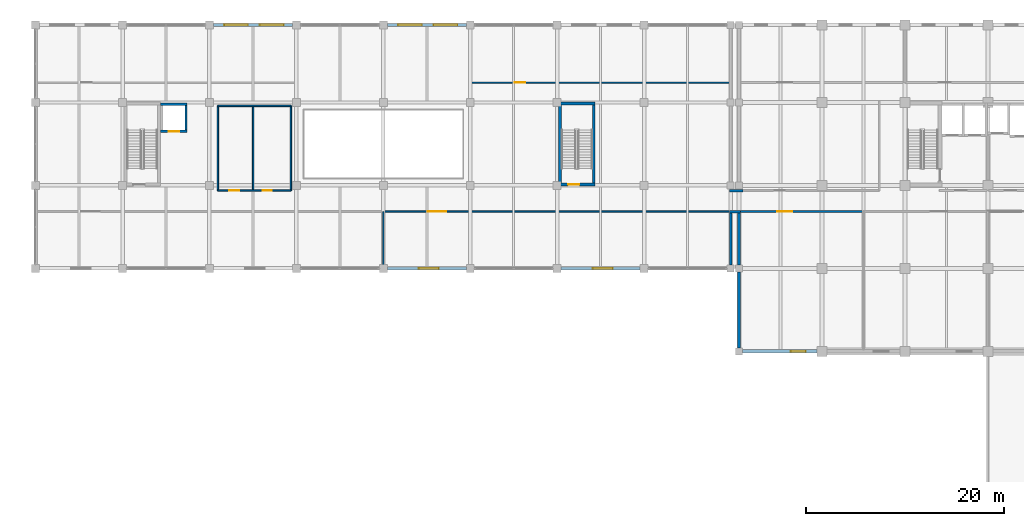
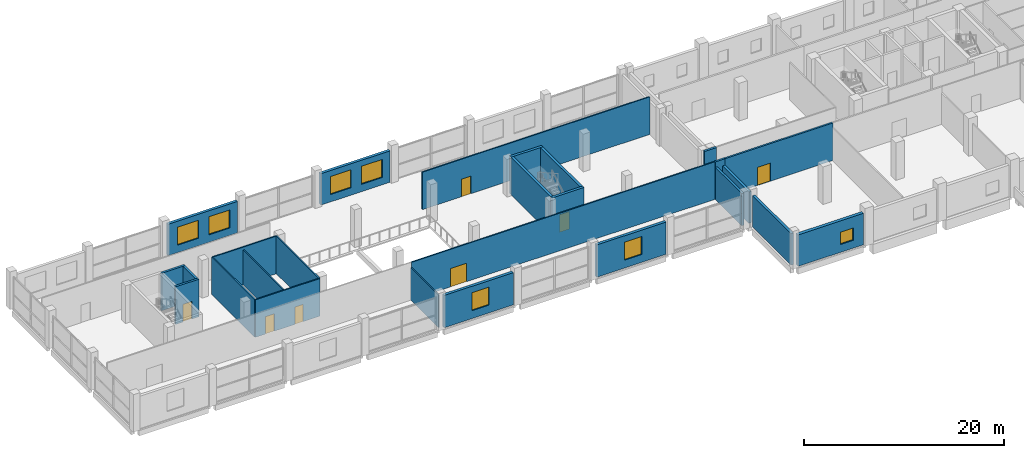
# One storey, part 21 of 31: 26 walls, 7 doors, 7 windows, 14 openings.
"""IFC4 building model written with IfcOpenShell, lengths in metres."""

from ifc_helpers import new_model, si_unit, direction, frame, frame_2d, origin, place, context, subcontext, project, spatial, rectangle, extrude, material, layer, layer_set, type_object, element, fill, save


model = new_model("IFC4")

# Units and contexts
model_context = context("Model", 3, precision=1e-05, world=origin(), true_north=direction((0.0, 1.0)))
body_context = subcontext(model_context, "Body", "Model", "MODEL_VIEW")
ifc_project = project(units=[si_unit("LENGTHUNIT", "METRE"), si_unit("AREAUNIT", "SQUARE_METRE"), si_unit("VOLUMEUNIT", "CUBIC_METRE"), si_unit("PLANEANGLEUNIT", "RADIAN"), si_unit("MASSUNIT", "GRAM", prefix="KILO")], contexts=[model_context])

# Site, building, storey
site_placement = place(None, origin())
site = spatial("IfcSite", under=ifc_project, at=site_placement, CompositionType="ELEMENT")
building_placement = place(site_placement, origin())
building = spatial("IfcBuilding", under=site, at=building_placement, Name="Brinegate Botanical Conservatory", CompositionType="ELEMENT")
storey_placement = place(building_placement, frame((0.0, 0.0, 5.39990234375)))
storey = spatial("IfcBuildingStorey", under=building, at=storey_placement, Name="L02", CompositionType="ELEMENT", Elevation=5.39990234375)

# Walls
ifc_material_1 = material(Name="Fujian grey granite ashlar masonry", Category="masonry")
ifc_layer_1 = layer(ifc_material_1, 0.239990234375, Name="Fujian grey granite ashlar masonry", Category="masonry")
ifc_layer_set_1 = layer_set([ifc_layer_1], Name="Fujian grey granite ashlar masonry")
wall_type_1 = type_object("IfcWallType", Name="Wall_EW-240A", PredefinedType="STANDARD", material=ifc_layer_set_1)
wall_1_placement = place(storey_placement, frame((122.139892578125, 92.550048828125, 0.0), z_axis=(0.0, 0.0, 1.0), x_axis=(-1.0, 0.0, 0.0)))
element("IfcWall", 1, at=wall_1_placement, inside=storey, type_object=wall_type_1, Name="Seismic-joint corridor link wall L02 S", PredefinedType="STANDARD", context=body_context, shape_type="SweptSolid", body=[
    extrude(rectangle(XDim=1.10986328125, YDim=0.239990234375, at=frame_2d((0.554931640625, 0.0))), origin(), (0.0, 0.0, 1.0), 4.580078125),
])
wall_2_placement = place(storey_placement, frame((121.030029296875, 94.679931640625, 0.0), z_axis=(0.0, 0.0, 1.0), x_axis=(1.0, 0.0, 0.0)))
element("IfcWall", 2, at=wall_2_placement, inside=storey, type_object=wall_type_1, Name="Seismic-joint corridor link wall L02 N", PredefinedType="STANDARD", context=body_context, shape_type="SweptSolid", body=[
    extrude(rectangle(XDim=1.35986328125, YDim=0.239990234375, at=frame_2d((0.679931640625, 0.0))), origin(), (0.0, 0.0, 1.0), 4.580078125),
])
ifc_material_2 = material(Name="Precast concrete C40/50 architectural panel", Category="concrete")
ifc_layer_2 = layer(ifc_material_2, 0.260009765625, Name="Precast concrete C40/50 architectural panel", Category="concrete")
ifc_layer_set_2 = layer_set([ifc_layer_2], Name="Precast concrete C40/50 architectural panel")
wall_type_2 = type_object("IfcWallType", Name="Wall_EW-260P", PredefinedType="STANDARD", material=ifc_layer_set_2)
wall_3_placement = place(storey_placement, frame((121.14990234375, 92.419921875, 0.0), z_axis=(0.0, 0.0, 1.0), x_axis=(0.0, -1.0, 0.0)))
element("IfcWall", 3, at=wall_3_placement, inside=storey, type_object=wall_type_2, Name="Visitor east seismic-joint closure wall L02.1", PredefinedType="STANDARD", context=body_context, shape_type="SweptSolid", body=[
    extrude(rectangle(XDim=5.27001953125, YDim=0.260009765625, at=frame_2d((2.635009765625, 0.0))), origin(), (0.0, 0.0, 1.0), 3.93017578125),
])
ifc_material_3 = material(Name="Insulated Minnan red clay brick masonry", Category="masonry")
ifc_layer_3 = layer(ifc_material_3, 0.300048828125, Name="Insulated Minnan red clay brick masonry", Category="masonry")
ifc_layer_set_3 = layer_set([ifc_layer_3], Name="Insulated Minnan red clay brick masonry")
wall_type_3 = type_object("IfcWallType", Name="Wall_EW-300B", PredefinedType="STANDARD", material=ifc_layer_set_3)
wall_4_placement = place(storey_placement, frame((122.0, 78.75, 0.0), z_axis=(0.0, 0.0, 1.0), x_axis=(0.0, 1.0, 0.0)))
element("IfcWall", 4, at=wall_4_placement, inside=storey, type_object=wall_type_3, Name="Tower west wall L02.S1", PredefinedType="STANDARD", context=body_context, shape_type="SweptSolid", body=[
    extrude(rectangle(XDim=7.699951171875, YDim=0.300048828125, at=frame_2d((3.85009765625, 0.0))), origin(), (0.0, 0.0, 1.0), 3.830078125),
])
wall_5_placement = place(storey_placement, frame((122.0, 87.14990234375, 0.0), z_axis=(0.0, 0.0, 1.0), x_axis=(0.0, 1.0, 0.0)))
element("IfcWall", 5, at=wall_5_placement, inside=storey, type_object=wall_type_3, Name="Tower seismic-joint west wall L02.2", PredefinedType="STANDARD", context=body_context, shape_type="SweptSolid", body=[
    extrude(rectangle(XDim=5.27001953125, YDim=0.300048828125, at=frame_2d((2.635009765625, 0.0))), origin(), (0.0, 0.0, 1.0), 3.830078125),
])

# Wall, openings, windows
ifc_layer_4 = layer(ifc_material_3, 0.320068359375, Name="Insulated Minnan red clay brick masonry", Category="masonry")
ifc_layer_set_4 = layer_set([ifc_layer_4], Name="Insulated Minnan red clay brick masonry")
wall_type_4 = type_object("IfcWallType", Name="Wall_EW-320B", PredefinedType="STANDARD", material=ifc_layer_set_4)
wall_6_placement = place(storey_placement, frame((68.800048828125, 111.449951171875, 0.0), z_axis=(0.0, 0.0, 1.0), x_axis=(1.0, 0.0, 0.0)))
wall_6 = element("IfcWall", 6, at=wall_6_placement, inside=storey, type_object=wall_type_4, Name="Visitor north brick bay wall L02.3", PredefinedType="STANDARD", context=body_context, shape_type="SweptSolid", body=[
    extrude(rectangle(XDim=8.0, YDim=0.320068359375, at=frame_2d((4.0, 0.0))), origin(), (0.0, 0.0, 1.0), 3.830078125),
])
opening_1_placement = place(wall_6_placement, frame((1.10009765625, 0.0, 0.89990234375)))
opening_1 = element("IfcOpeningElement", 7, at=opening_1_placement, cuts=wall_6, Name="Opening WN-09", PredefinedType="OPENING", context=body_context, shape_type="SweptSolid", body=[
    extrude(rectangle(XDim=2.39990234375, YDim=2.199951171875, at=frame_2d((1.199951171875, 1.10009765625))), frame((0.0, 0.169921875, 0.0), z_axis=(0.0, -1.0, 0.0), x_axis=(1.0, 0.0, 0.0)), (0.0, 0.0, 1.0), 0.340087890625),
])
opening_2_placement = place(wall_6_placement, frame((4.699951171875, 0.0, 0.89990234375)))
opening_2 = element("IfcOpeningElement", 8, at=opening_2_placement, cuts=wall_6, Name="Opening WN-09", PredefinedType="OPENING", context=body_context, shape_type="SweptSolid", body=[
    extrude(rectangle(XDim=2.39990234375, YDim=2.199951171875, at=frame_2d((1.199951171875, 1.10009765625))), frame((0.0, 0.169921875, 0.0), z_axis=(0.0, -1.0, 0.0), x_axis=(1.0, 0.0, 0.0)), (0.0, 0.0, 1.0), 0.340087890625),
])
ifc_material_4 = material(Name="Thermally broken aluminium-framed Low-E glass", Category="aluminium")
window_type_1 = type_object("IfcWindowType", Name="Win_WN-09", PartitioningType="TRIPLE_PANEL_VERTICAL", PredefinedType="WINDOW", material=ifc_material_4)
window_1_placement = place(opening_1_placement, origin())
window_1 = element("IfcWindow", 9, at=window_1_placement, inside=storey, type_object=window_type_1, Name="Visitor north window L02.3A", OverallHeight=2.199951171875, OverallWidth=2.39990234375, PartitioningType="TRIPLE_PANEL_VERTICAL", PredefinedType="WINDOW", context=body_context, shape_type="SweptSolid", body=[
    extrude(rectangle(XDim=2.39990234375, YDim=2.199951171875, at=frame_2d((1.199951171875, 1.10009765625))), frame((0.0, 0.030029296875, 0.0), z_axis=(0.0, -1.0, 0.0), x_axis=(1.0, 0.0, 0.0)), (0.0, 0.0, 1.0), 0.06005859375),
])
fill(opening_1, window_1)
window_2_placement = place(opening_2_placement, origin())
window_2 = element("IfcWindow", 10, at=window_2_placement, inside=storey, type_object=window_type_1, Name="Visitor north window L02.3B", OverallHeight=2.199951171875, OverallWidth=2.39990234375, PartitioningType="TRIPLE_PANEL_VERTICAL", PredefinedType="WINDOW", context=body_context, shape_type="SweptSolid", body=[
    extrude(rectangle(XDim=2.39990234375, YDim=2.199951171875, at=frame_2d((1.199951171875, 1.10009765625))), frame((0.0, 0.030029296875, 0.0), z_axis=(0.0, -1.0, 0.0), x_axis=(1.0, 0.0, 0.0)), (0.0, 0.0, 1.0), 0.06005859375),
])
fill(opening_2, window_2)

wall_7_placement = place(storey_placement, frame((86.39990234375, 111.449951171875, 0.0), z_axis=(0.0, 0.0, 1.0), x_axis=(1.0, 0.0, 0.0)))
wall_7 = element("IfcWall", 11, at=wall_7_placement, inside=storey, type_object=wall_type_4, Name="Visitor north brick bay wall L02.5", PredefinedType="STANDARD", context=body_context, shape_type="SweptSolid", body=[
    extrude(rectangle(XDim=8.0, YDim=0.320068359375, at=frame_2d((4.0, 0.0))), origin(), (0.0, 0.0, 1.0), 3.830078125),
])
opening_3_placement = place(wall_7_placement, frame((1.10009765625, 0.0, 0.89990234375)))
opening_3 = element("IfcOpeningElement", 12, at=opening_3_placement, cuts=wall_7, Name="Opening WN-09", PredefinedType="OPENING", context=body_context, shape_type="SweptSolid", body=[
    extrude(rectangle(XDim=2.39990234375, YDim=2.199951171875, at=frame_2d((1.199951171875, 1.10009765625))), frame((0.0, 0.169921875, 0.0), z_axis=(0.0, -1.0, 0.0), x_axis=(1.0, 0.0, 0.0)), (0.0, 0.0, 1.0), 0.340087890625),
])
opening_4_placement = place(wall_7_placement, frame((4.699951171875, 0.0, 0.89990234375)))
opening_4 = element("IfcOpeningElement", 13, at=opening_4_placement, cuts=wall_7, Name="Opening WN-09", PredefinedType="OPENING", context=body_context, shape_type="SweptSolid", body=[
    extrude(rectangle(XDim=2.39990234375, YDim=2.199951171875, at=frame_2d((1.199951171875, 1.10009765625))), frame((0.0, 0.169921875, 0.0), z_axis=(0.0, -1.0, 0.0), x_axis=(1.0, 0.0, 0.0)), (0.0, 0.0, 1.0), 0.340087890625),
])
window_3_placement = place(opening_3_placement, origin())
window_3 = element("IfcWindow", 14, at=window_3_placement, inside=storey, type_object=window_type_1, Name="Visitor north window L02.5A", OverallHeight=2.199951171875, OverallWidth=2.39990234375, PartitioningType="TRIPLE_PANEL_VERTICAL", PredefinedType="WINDOW", context=body_context, shape_type="SweptSolid", body=[
    extrude(rectangle(XDim=2.39990234375, YDim=2.199951171875, at=frame_2d((1.199951171875, 1.10009765625))), frame((0.0, 0.030029296875, 0.0), z_axis=(0.0, -1.0, 0.0), x_axis=(1.0, 0.0, 0.0)), (0.0, 0.0, 1.0), 0.06005859375),
])
fill(opening_3, window_3)
window_4_placement = place(opening_4_placement, origin())
window_4 = element("IfcWindow", 15, at=window_4_placement, inside=storey, type_object=window_type_1, Name="Visitor north window L02.5B", OverallHeight=2.199951171875, OverallWidth=2.39990234375, PartitioningType="TRIPLE_PANEL_VERTICAL", PredefinedType="WINDOW", context=body_context, shape_type="SweptSolid", body=[
    extrude(rectangle(XDim=2.39990234375, YDim=2.199951171875, at=frame_2d((1.199951171875, 1.10009765625))), frame((0.0, 0.030029296875, 0.0), z_axis=(0.0, -1.0, 0.0), x_axis=(1.0, 0.0, 0.0)), (0.0, 0.0, 1.0), 0.06005859375),
])
fill(opening_4, window_4)

# Wall, opening, window
wall_8_placement = place(storey_placement, frame((94.39990234375, 86.800048828125, 0.0), z_axis=(0.0, 0.0, 1.0), x_axis=(-1.0, 0.0, 0.0)))
wall_8 = element("IfcWall", 16, at=wall_8_placement, inside=storey, type_object=wall_type_4, Name="Visitor south brick wall L02.5", PredefinedType="STANDARD", context=body_context, shape_type="SweptSolid", body=[
    extrude(rectangle(XDim=8.0, YDim=0.320068359375, at=frame_2d((4.0, 0.0))), origin(), (0.0, 0.0, 1.0), 3.93017578125),
])
opening_5_placement = place(wall_8_placement, frame((2.800048828125, 0.0, 0.949951171875)))
opening_5 = element("IfcOpeningElement", 17, at=opening_5_placement, cuts=wall_8, Name="Opening WN-11", PredefinedType="OPENING", context=body_context, shape_type="SweptSolid", body=[
    extrude(rectangle(XDim=2.0, YDim=2.199951171875, at=frame_2d((1.0, 1.10009765625))), frame((0.0, 0.169921875, 0.0), z_axis=(0.0, -1.0, 0.0), x_axis=(1.0, 0.0, 0.0)), (0.0, 0.0, 1.0), 0.340087890625),
])
window_type_2 = type_object("IfcWindowType", Name="Win_WN-11", PartitioningType="DOUBLE_PANEL_VERTICAL", PredefinedType="WINDOW", material=ifc_material_4)
window_5_placement = place(opening_5_placement, origin())
window_5 = element("IfcWindow", 18, at=window_5_placement, inside=storey, type_object=window_type_2, Name="Visitor south court window L02.5", OverallHeight=2.199951171875, OverallWidth=2.0, PartitioningType="DOUBLE_PANEL_VERTICAL", PredefinedType="WINDOW", context=body_context, shape_type="SweptSolid", body=[
    extrude(rectangle(XDim=2.0, YDim=2.199951171875, at=frame_2d((1.0, 1.10009765625))), frame((0.0, 0.030029296875, 0.0), z_axis=(0.0, -1.0, 0.0), x_axis=(1.0, 0.0, 0.0)), (0.0, 0.0, 1.0), 0.06005859375),
])
fill(opening_5, window_5)

wall_9_placement = place(storey_placement, frame((112.0, 86.800048828125, 0.0), z_axis=(0.0, 0.0, 1.0), x_axis=(-1.0, 0.0, 0.0)))
wall_9 = element("IfcWall", 19, at=wall_9_placement, inside=storey, type_object=wall_type_4, Name="Visitor south brick wall L02.7", PredefinedType="STANDARD", context=body_context, shape_type="SweptSolid", body=[
    extrude(rectangle(XDim=8.0, YDim=0.320068359375, at=frame_2d((4.0, 0.0))), origin(), (0.0, 0.0, 1.0), 3.93017578125),
])
opening_6_placement = place(wall_9_placement, frame((2.800048828125, 0.0, 0.949951171875)))
opening_6 = element("IfcOpeningElement", 20, at=opening_6_placement, cuts=wall_9, Name="Opening WN-11", PredefinedType="OPENING", context=body_context, shape_type="SweptSolid", body=[
    extrude(rectangle(XDim=2.0, YDim=2.199951171875, at=frame_2d((1.0, 1.10009765625))), frame((0.0, 0.169921875, 0.0), z_axis=(0.0, -1.0, 0.0), x_axis=(1.0, 0.0, 0.0)), (0.0, 0.0, 1.0), 0.340087890625),
])
window_6_placement = place(opening_6_placement, origin())
window_6 = element("IfcWindow", 21, at=window_6_placement, inside=storey, type_object=window_type_2, Name="Visitor south court window L02.7", OverallHeight=2.199951171875, OverallWidth=2.0, PartitioningType="DOUBLE_PANEL_VERTICAL", PredefinedType="WINDOW", context=body_context, shape_type="SweptSolid", body=[
    extrude(rectangle(XDim=2.0, YDim=2.199951171875, at=frame_2d((1.0, 1.10009765625))), frame((0.0, 0.030029296875, 0.0), z_axis=(0.0, -1.0, 0.0), x_axis=(1.0, 0.0, 0.0)), (0.0, 0.0, 1.0), 0.06005859375),
])
fill(opening_6, window_6)

ifc_layer_5 = layer(ifc_material_3, 0.360107421875, Name="Insulated Minnan red clay brick masonry", Category="masonry")
ifc_layer_set_5 = layer_set([ifc_layer_5], Name="Insulated Minnan red clay brick masonry")
wall_type_5 = type_object("IfcWallType", Name="Wall_EW-360B", PredefinedType="STANDARD", material=ifc_layer_set_5)
wall_10_placement = place(storey_placement, frame((129.89990234375, 78.39990234375, 0.0), z_axis=(0.0, 0.0, 1.0), x_axis=(-1.0, 0.0, 0.0)))
wall_10 = element("IfcWall", 22, at=wall_10_placement, inside=storey, type_object=wall_type_5, Name="Tower south facade wall L02.1", PredefinedType="STANDARD", context=body_context, shape_type="SweptSolid", body=[
    extrude(rectangle(XDim=7.5498046875, YDim=0.360107421875, at=frame_2d((3.77490234375, 0.0))), origin(), (0.0, 0.0, 1.0), 3.830078125),
])
opening_7_placement = place(wall_10_placement, frame((1.14990234375, 0.0, 0.949951171875)))
opening_7 = element("IfcOpeningElement", 23, at=opening_7_placement, cuts=wall_10, Name="Opening WN-08", PredefinedType="OPENING", context=body_context, shape_type="SweptSolid", body=[
    extrude(rectangle(XDim=1.5, YDim=1.5, at=frame_2d((0.75, 0.75))), frame((0.0, 0.18994140625, 0.0), z_axis=(0.0, -1.0, 0.0), x_axis=(1.0, 0.0, 0.0)), (0.0, 0.0, 1.0), 0.380126953125),
])
window_type_3 = type_object("IfcWindowType", Name="Win_WN-08", PartitioningType="DOUBLE_PANEL_VERTICAL", PredefinedType="WINDOW", material=ifc_material_4)
window_7_placement = place(opening_7_placement, origin())
window_7 = element("IfcWindow", 24, at=window_7_placement, inside=storey, type_object=window_type_3, Name="Tower south window L02.1", OverallHeight=1.5, OverallWidth=1.5, PartitioningType="DOUBLE_PANEL_VERTICAL", PredefinedType="WINDOW", context=body_context, shape_type="SweptSolid", body=[
    extrude(rectangle(XDim=1.5, YDim=1.5, at=frame_2d((0.75, 0.75))), frame((0.0, 0.030029296875, 0.0), z_axis=(0.0, -1.0, 0.0), x_axis=(1.0, 0.0, 0.0)), (0.0, 0.0, 1.0), 0.06005859375),
])
fill(opening_7, window_7)

# Walls
ifc_material_5 = material(Name="Gypsum-clad steel-stud partition", Category="steel")
ifc_layer_6 = layer(ifc_material_5, 0.135009765625, Name="Gypsum-clad steel-stud partition", Category="steel")
ifc_layer_set_6 = layer_set([ifc_layer_6], Name="Gypsum-clad steel-stud partition")
wall_type_6 = type_object("IfcWallType", Name="Wall_PW-135", PredefinedType="PARTITIONING", material=ifc_layer_set_6)
wall_11_placement = place(storey_placement, frame((72.820068359375, 94.679931640625, 0.0), z_axis=(0.0, 0.0, 1.0), x_axis=(0.0, 1.0, 0.0)))
element("IfcWall", 25, at=wall_11_placement, inside=storey, type_object=wall_type_6, Name="Interior partition P-L02-V3-WCD", PredefinedType="PARTITIONING", context=body_context, shape_type="SweptSolid", body=[
    extrude(rectangle(XDim=8.570068359375, YDim=0.135009765625, at=frame_2d((4.28515625, 0.0))), origin(), (0.0, 0.0, 1.0), 4.239990234375),
])
wall_12_placement = place(storey_placement, frame((86.0, 86.949951171875, 0.0), z_axis=(0.0, 0.0, 1.0), x_axis=(0.0, 1.0, 0.0)))
element("IfcWall", 26, at=wall_12_placement, inside=storey, type_object=wall_type_6, Name="Interior partition P-L02-VSD-V3-EXH2", PredefinedType="PARTITIONING", context=body_context, shape_type="SweptSolid", body=[
    extrude(rectangle(XDim=5.60009765625, YDim=0.135009765625, at=frame_2d((2.800048828125, 0.0))), origin(), (0.0, 0.0, 1.0), 3.93017578125),
])

# Wall, opening, door
ifc_material_6 = material(Name="Gypsum-clad acoustic steel-stud partition", Category="steel")
ifc_layer_7 = layer(ifc_material_6, 0.14501953125, Name="Gypsum-clad acoustic steel-stud partition", Category="steel")
ifc_layer_set_7 = layer_set([ifc_layer_7], Name="Gypsum-clad acoustic steel-stud partition")
wall_type_7 = type_object("IfcWallType", Name="Wall_PW-150", PredefinedType="PARTITIONING", material=ifc_layer_set_7)
wall_13_placement = place(storey_placement, frame((86.0, 92.550048828125, 0.0), z_axis=(0.0, 0.0, 1.0), x_axis=(1.0, 0.0, 0.0)))
wall_13 = element("IfcWall", 27, at=wall_13_placement, inside=storey, type_object=wall_type_7, Name="Interior partition P-L02-V3-EXH2", PredefinedType="PARTITIONING", context=body_context, shape_type="SweptSolid", body=[
    extrude(rectangle(XDim=35.02001953125, YDim=0.14501953125, at=frame_2d((17.510009765625, 0.0))), origin(), (0.0, 0.0, 1.0), 4.580078125),
])
opening_8_placement = place(wall_13_placement, frame((4.5, 0.0, 0.0)))
opening_8 = element("IfcOpeningElement", 28, at=opening_8_placement, cuts=wall_13, Name="Opening DR-DBL1", PredefinedType="OPENING", context=body_context, shape_type="SweptSolid", body=[
    extrude(rectangle(XDim=1.85009765625, YDim=2.25, at=frame_2d((0.925048828125, 1.125))), frame((0.0, 0.08251953125, 0.0), z_axis=(0.0, -1.0, 0.0), x_axis=(1.0, 0.0, 0.0)), (0.0, 0.0, 1.0), 0.1650390625),
])
ifc_material_7 = material(Name="Anodised aluminium and safety glass", Category="aluminium")
door_type_1 = type_object("IfcDoorType", Name="Door_DR-DBL1", OperationType="NOTDEFINED", PredefinedType="DOOR", material=ifc_material_7)
door_1_placement = place(opening_8_placement, origin())
door_1 = element("IfcDoor", 29, at=door_1_placement, inside=storey, type_object=door_type_1, Name="DR-P-L02-V3-EXH2-1", OperationType="SINGLE_SWING_LEFT", OverallHeight=2.25, OverallWidth=1.85009765625, PredefinedType="DOOR", context=body_context, shape_type="SweptSolid", body=[
    extrude(rectangle(XDim=1.85009765625, YDim=2.25, at=frame_2d((0.925048828125, 1.125))), frame((0.0, 0.02490234375, 0.0), z_axis=(0.0, -1.0, 0.0), x_axis=(1.0, 0.0, 0.0)), (0.0, 0.0, 1.0), 0.050048828125),
])
fill(opening_8, door_1)

wall_14_placement = place(storey_placement, frame((94.800048828125, 105.60009765625, 0.0), z_axis=(0.0, 0.0, 1.0), x_axis=(1.0, 0.0, 0.0)))
wall_14 = element("IfcWall", 30, at=wall_14_placement, inside=storey, type_object=wall_type_7, Name="Interior partition P-L02-V3-WORK2", PredefinedType="PARTITIONING", context=body_context, shape_type="SweptSolid", body=[
    extrude(rectangle(XDim=26.219970703125, YDim=0.14501953125, at=frame_2d((13.10986328125, 0.0))), origin(), (0.0, 0.0, 1.0), 4.580078125),
])
opening_9_placement = place(wall_14_placement, frame((4.5, 0.0, 0.0)))
opening_9 = element("IfcOpeningElement", 31, at=opening_9_placement, cuts=wall_14, Name="Opening DR-01", PredefinedType="OPENING", context=body_context, shape_type="SweptSolid", body=[
    extrude(rectangle(XDim=1.080078125, YDim=2.14990234375, at=frame_2d((0.5400390625, 1.074951171875))), frame((0.0, 0.08251953125, 0.0), z_axis=(0.0, -1.0, 0.0), x_axis=(1.0, 0.0, 0.0)), (0.0, 0.0, 1.0), 0.1650390625),
])
ifc_material_8 = material(Name="Hardwood timber acoustic leaf", Category="wood")
door_type_2 = type_object("IfcDoorType", Name="Door_DR-01", OperationType="NOTDEFINED", PredefinedType="DOOR", material=ifc_material_8)
door_2_placement = place(opening_9_placement, origin())
door_2 = element("IfcDoor", 32, at=door_2_placement, inside=storey, type_object=door_type_2, Name="DR-P-L02-V3-WORK2-1", OperationType="SINGLE_SWING_RIGHT", OverallHeight=2.14990234375, OverallWidth=1.080078125, PredefinedType="DOOR", context=body_context, shape_type="SweptSolid", body=[
    extrude(rectangle(XDim=1.080078125, YDim=2.14990234375, at=frame_2d((0.5400390625, 1.074951171875))), frame((0.0, 0.02490234375, 0.0), z_axis=(0.0, -1.0, 0.0), x_axis=(1.0, 0.0, 0.0)), (0.0, 0.0, 1.0), 0.050048828125),
])
fill(opening_9, door_2)

# Wall, openings, doors
ifc_material_9 = material(Name="Moisture-resistant cement-board partition", Category="gypsum")
ifc_layer_8 = layer(ifc_material_9, 0.14990234375, Name="Moisture-resistant cement-board partition", Category="gypsum")
ifc_layer_set_8 = layer_set([ifc_layer_8], Name="Moisture-resistant cement-board partition")
wall_type_8 = type_object("IfcWallType", Name="Wall_PW-150W", PredefinedType="PARTITIONING", material=ifc_layer_set_8)
wall_15_placement = place(storey_placement, frame((69.25, 94.679931640625, 0.0), z_axis=(0.0, 0.0, 1.0), x_axis=(1.0, 0.0, 0.0)))
wall_15 = element("IfcWall", 33, at=wall_15_placement, inside=storey, type_object=wall_type_8, Name="Interior partition P-L02-V3-WCS", PredefinedType="PARTITIONING", context=body_context, shape_type="SweptSolid", body=[
    extrude(rectangle(XDim=7.39990234375, YDim=0.14990234375, at=frame_2d((3.699951171875, 0.0))), origin(), (0.0, 0.0, 1.0), 4.580078125),
])
opening_10_placement = place(wall_15_placement, frame((1.14990234375, 0.0, 0.0)))
opening_10 = element("IfcOpeningElement", 34, at=opening_10_placement, cuts=wall_15, Name="Opening DR-ACC", PredefinedType="OPENING", context=body_context, shape_type="SweptSolid", body=[
    extrude(rectangle(XDim=1.0, YDim=2.1201171875, at=frame_2d((0.5, 1.06005859375))), frame((0.0, 0.0849609375, 0.0), z_axis=(0.0, -1.0, 0.0), x_axis=(1.0, 0.0, 0.0)), (0.0, 0.0, 1.0), 0.169921875),
])
opening_11_placement = place(wall_15_placement, frame((4.550048828125, 0.0, 0.0)))
opening_11 = element("IfcOpeningElement", 35, at=opening_11_placement, cuts=wall_15, Name="Opening DR-04", PredefinedType="OPENING", context=body_context, shape_type="SweptSolid", body=[
    extrude(rectangle(XDim=0.919921875, YDim=2.10009765625, at=frame_2d((0.4599609375, 1.050048828125))), frame((0.0, 0.0849609375, 0.0), z_axis=(0.0, -1.0, 0.0), x_axis=(1.0, 0.0, 0.0)), (0.0, 0.0, 1.0), 0.169921875),
])
ifc_material_10 = material(Name="Moisture-resistant laminate timber leaf", Category="wood")
door_type_3 = type_object("IfcDoorType", Name="Door_DR-04", OperationType="NOTDEFINED", PredefinedType="DOOR", material=ifc_material_10)
door_3_placement = place(opening_11_placement, origin())
door_3 = element("IfcDoor", 36, at=door_3_placement, inside=storey, type_object=door_type_3, Name="DR-P-L02-V3-WCS-2", OperationType="SINGLE_SWING_LEFT", OverallHeight=2.10009765625, OverallWidth=0.919921875, PredefinedType="DOOR", context=body_context, shape_type="SweptSolid", body=[
    extrude(rectangle(XDim=0.919921875, YDim=2.10009765625, at=frame_2d((0.4599609375, 1.050048828125))), frame((0.0, 0.02490234375, 0.0), z_axis=(0.0, -1.0, 0.0), x_axis=(1.0, 0.0, 0.0)), (0.0, 0.0, 1.0), 0.050048828125),
])
fill(opening_11, door_3)
ifc_material_11 = material(Name="Moisture-resistant barrier-free timber leaf", Category="wood")
door_type_4 = type_object("IfcDoorType", Name="Door_DR-ACC", OperationType="NOTDEFINED", PredefinedType="DOOR", material=ifc_material_11)
door_4_placement = place(opening_10_placement, origin())
door_4 = element("IfcDoor", 37, at=door_4_placement, inside=storey, type_object=door_type_4, Name="DR-P-L02-V3-WCS-1", OperationType="SINGLE_SWING_RIGHT", OverallHeight=2.1201171875, OverallWidth=1.0, PredefinedType="DOOR", context=body_context, shape_type="SweptSolid", body=[
    extrude(rectangle(XDim=1.0, YDim=2.1201171875, at=frame_2d((0.5, 1.06005859375))), frame((0.0, 0.02490234375, 0.0), z_axis=(0.0, -1.0, 0.0), x_axis=(1.0, 0.0, 0.0)), (0.0, 0.0, 1.0), 0.050048828125),
])
fill(opening_10, door_4)

# Walls
wall_16_placement = place(storey_placement, frame((69.25, 94.679931640625, 0.0), z_axis=(0.0, 0.0, 1.0), x_axis=(0.0, 1.0, 0.0)))
element("IfcWall", 38, at=wall_16_placement, inside=storey, type_object=wall_type_8, Name="Interior partition P-L02-V3-WCW", PredefinedType="PARTITIONING", context=body_context, shape_type="SweptSolid", body=[
    extrude(rectangle(XDim=8.570068359375, YDim=0.14990234375, at=frame_2d((4.28515625, 0.0))), origin(), (0.0, 0.0, 1.0), 4.580078125),
])
wall_17_placement = place(storey_placement, frame((69.25, 103.25, 0.0), z_axis=(0.0, 0.0, 1.0), x_axis=(1.0, 0.0, 0.0)))
element("IfcWall", 39, at=wall_17_placement, inside=storey, type_object=wall_type_8, Name="Interior partition P-L02-V3-WCN", PredefinedType="PARTITIONING", context=body_context, shape_type="SweptSolid", body=[
    extrude(rectangle(XDim=7.39990234375, YDim=0.14990234375, at=frame_2d((3.699951171875, 0.0))), origin(), (0.0, 0.0, 1.0), 4.580078125),
])
wall_18_placement = place(storey_placement, frame((76.64990234375, 94.679931640625, 0.0), z_axis=(0.0, 0.0, 1.0), x_axis=(0.0, 1.0, 0.0)))
element("IfcWall", 40, at=wall_18_placement, inside=storey, type_object=wall_type_8, Name="Interior partition P-L02-V3-WCE", PredefinedType="PARTITIONING", context=body_context, shape_type="SweptSolid", body=[
    extrude(rectangle(XDim=8.570068359375, YDim=0.14990234375, at=frame_2d((4.28515625, 0.0))), origin(), (0.0, 0.0, 1.0), 4.580078125),
])

# Wall, opening, door
ifc_material_12 = material(Name="Autoclaved aerated concrete C40/50 blockwork", Category="masonry")
ifc_layer_9 = layer(ifc_material_12, 0.199951171875, Name="Autoclaved aerated concrete C40/50 blockwork", Category="masonry")
ifc_layer_set_9 = layer_set([ifc_layer_9], Name="Autoclaved aerated concrete C40/50 blockwork")
wall_type_9 = type_object("IfcWallType", Name="Wall_PW-200F", PredefinedType="SOLIDWALL", material=ifc_layer_set_9)
wall_19_placement = place(storey_placement, frame((122.14990234375, 92.550048828125, 0.0), z_axis=(0.0, 0.0, 1.0), x_axis=(1.0, 0.0, 0.0)))
wall_19 = element("IfcWall", 41, at=wall_19_placement, inside=storey, type_object=wall_type_9, Name="Interior partition P-L02-SB-S1", PredefinedType="SOLIDWALL", context=body_context, shape_type="SweptSolid", body=[
    extrude(rectangle(XDim=12.4501953125, YDim=0.199951171875, at=frame_2d((6.22509765625, 0.0))), origin(), (0.0, 0.0, 1.0), 4.580078125),
])
opening_12_placement = place(wall_19_placement, frame((3.75, 0.0, 0.0)))
opening_12 = element("IfcOpeningElement", 42, at=opening_12_placement, cuts=wall_19, Name="Opening FD-A2", PredefinedType="OPENING", context=body_context, shape_type="SweptSolid", body=[
    extrude(rectangle(XDim=1.5, YDim=2.199951171875, at=frame_2d((0.75, 1.10009765625))), frame((0.0, 0.10986328125, 0.0), z_axis=(0.0, -1.0, 0.0), x_axis=(1.0, 0.0, 0.0)), (0.0, 0.0, 1.0), 0.219970703125),
])
ifc_material_13 = material(Name="Steel fire-rated double-leaf assembly", Category="steel")
door_type_5 = type_object("IfcDoorType", Name="Door_FD-A2", OperationType="NOTDEFINED", PredefinedType="DOOR", material=ifc_material_13)
door_5_placement = place(opening_12_placement, origin())
door_5 = element("IfcDoor", 43, at=door_5_placement, inside=storey, type_object=door_type_5, Name="DR-P-L02-SB-S1-1", OperationType="SINGLE_SWING_RIGHT", OverallHeight=2.199951171875, OverallWidth=1.5, PredefinedType="DOOR", context=body_context, shape_type="SweptSolid", body=[
    extrude(rectangle(XDim=1.5, YDim=2.199951171875, at=frame_2d((0.75, 1.10009765625))), frame((0.0, 0.02490234375, 0.0), z_axis=(0.0, -1.0, 0.0), x_axis=(1.0, 0.0, 0.0)), (0.0, 0.0, 1.0), 0.050048828125),
])
fill(opening_12, door_5)

ifc_material_14 = material(Name="Concrete C40/50", Category="concrete")
ifc_layer_10 = layer(ifc_material_14, 0.25, Name="Concrete C40/50", Category="concrete")
ifc_layer_set_10 = layer_set([ifc_layer_10], Name="Concrete C40/50")
wall_type_10 = type_object("IfcWallType", Name="Wall_SW-250", PredefinedType="SHEAR", material=ifc_layer_set_10)
wall_20_placement = place(storey_placement, frame((63.449951171875, 100.675048828125, 0.0), z_axis=(0.0, 0.0, 1.0), x_axis=(1.0, 0.0, 0.0)))
wall_20 = element("IfcWall", 44, at=wall_20_placement, inside=storey, type_object=wall_type_10, Name="Lift shaft LF5 shear wall L02 S", PredefinedType="SHEAR", context=body_context, shape_type="SweptSolid", body=[
    extrude(rectangle(XDim=2.699951171875, YDim=0.25, at=frame_2d((1.35009765625, 0.0))), origin(), (0.0, 0.0, 1.0), 4.580078125),
])
opening_13_placement = place(wall_20_placement, frame((0.830078125, 0.0, 0.0)))
opening_13 = element("IfcOpeningElement", 45, at=opening_13_placement, cuts=wall_20, Name="Opening LD-05", PredefinedType="OPENING", context=body_context, shape_type="SweptSolid", body=[
    extrude(rectangle(XDim=1.0400390625, YDim=2.14990234375, at=frame_2d((0.52001953125, 1.074951171875))), frame((0.0, 0.135009765625, 0.0), z_axis=(0.0, -1.0, 0.0), x_axis=(1.0, 0.0, 0.0)), (0.0, 0.0, 1.0), 0.27001953125),
])
ifc_material_15 = material(Name="Brushed stainless steel S355 landing door", Category="steel")
door_type_6 = type_object("IfcDoorType", Name="Door_LD-05", OperationType="SLIDING_TO_LEFT", PredefinedType="DOOR", material=ifc_material_15)
door_6_placement = place(opening_13_placement, origin())
door_6 = element("IfcDoor", 46, at=door_6_placement, inside=storey, type_object=door_type_6, Name="LD-LF5-L02", OperationType="SLIDING_TO_LEFT", OverallHeight=2.14990234375, OverallWidth=1.0400390625, PredefinedType="DOOR", context=body_context, shape_type="SweptSolid", body=[
    extrude(rectangle(XDim=1.0400390625, YDim=2.14990234375, at=frame_2d((0.52001953125, 1.074951171875))), frame((0.0, 0.02490234375, 0.0), z_axis=(0.0, -1.0, 0.0), x_axis=(1.0, 0.0, 0.0)), (0.0, 0.0, 1.0), 0.050048828125),
])
fill(opening_13, door_6)

# Walls
wall_21_placement = place(storey_placement, frame((63.449951171875, 103.425048828125, 0.0), z_axis=(0.0, 0.0, 1.0), x_axis=(1.0, 0.0, 0.0)))
element("IfcWall", 47, at=wall_21_placement, inside=storey, type_object=wall_type_10, Name="Lift shaft LF5 shear wall L02 N", PredefinedType="SHEAR", context=body_context, shape_type="SweptSolid", body=[
    extrude(rectangle(XDim=2.699951171875, YDim=0.25, at=frame_2d((1.35009765625, 0.0))), origin(), (0.0, 0.0, 1.0), 4.580078125),
])
wall_22_placement = place(storey_placement, frame((66.02490234375, 100.800048828125, 0.0), z_axis=(0.0, 0.0, 1.0), x_axis=(0.0, 1.0, 0.0)))
element("IfcWall", 48, at=wall_22_placement, inside=storey, type_object=wall_type_10, Name="Lift shaft LF5 shear wall L02 E", PredefinedType="SHEAR", context=body_context, shape_type="SweptSolid", body=[
    extrude(rectangle(XDim=2.5, YDim=0.25, at=frame_2d((1.25, 0.0))), origin(), (0.0, 0.0, 1.0), 4.580078125),
])

# Wall, opening, door
ifc_layer_11 = layer(ifc_material_14, 0.300048828125, Name="Concrete C40/50", Category="concrete")
ifc_layer_set_11 = layer_set([ifc_layer_11], Name="Concrete C40/50")
wall_type_11 = type_object("IfcWallType", Name="Wall_SW-300", PredefinedType="SHEAR", material=ifc_layer_set_11)
wall_23_placement = place(storey_placement, frame((103.75, 95.300048828125, 0.0), z_axis=(0.0, 0.0, 1.0), x_axis=(1.0, 0.0, 0.0)))
wall_23 = element("IfcWall", 49, at=wall_23_placement, inside=storey, type_object=wall_type_11, Name="Stairwell ST4 shear wall L02 S", PredefinedType="SHEAR", context=body_context, shape_type="SweptSolid", body=[
    extrude(rectangle(XDim=3.699951171875, YDim=0.300048828125, at=frame_2d((1.85009765625, 0.0))), origin(), (0.0, 0.0, 1.0), 4.580078125),
])
opening_14_placement = place(wall_23_placement, frame((0.949951171875, 0.0, 0.0)))
opening_14 = element("IfcOpeningElement", 50, at=opening_14_placement, cuts=wall_23, Name="Opening FD-B3", PredefinedType="OPENING", context=body_context, shape_type="SweptSolid", body=[
    extrude(rectangle(XDim=1.14990234375, YDim=2.14990234375, at=frame_2d((0.574951171875, 1.074951171875))), frame((0.0, 0.159912109375, 0.0), z_axis=(0.0, -1.0, 0.0), x_axis=(1.0, 0.0, 0.0)), (0.0, 0.0, 1.0), 0.320068359375),
])
ifc_material_16 = material(Name="Steel stairwell fire door", Category="steel")
door_type_7 = type_object("IfcDoorType", Name="Door_FD-B3", OperationType="NOTDEFINED", PredefinedType="DOOR", material=ifc_material_16)
door_7_placement = place(opening_14_placement, origin())
door_7 = element("IfcDoor", 51, at=door_7_placement, inside=storey, type_object=door_type_7, Name="DR-ST-ST4-L02", OperationType="SINGLE_SWING_RIGHT", OverallHeight=2.14990234375, OverallWidth=1.14990234375, PredefinedType="DOOR", context=body_context, shape_type="SweptSolid", body=[
    extrude(rectangle(XDim=1.14990234375, YDim=2.14990234375, at=frame_2d((0.574951171875, 1.074951171875))), frame((0.0, 0.02490234375, 0.0), z_axis=(0.0, -1.0, 0.0), x_axis=(1.0, 0.0, 0.0)), (0.0, 0.0, 1.0), 0.050048828125),
])
fill(opening_14, door_7)

# Walls
wall_24_placement = place(storey_placement, frame((103.75, 103.5, 0.0), z_axis=(0.0, 0.0, 1.0), x_axis=(1.0, 0.0, 0.0)))
element("IfcWall", 52, at=wall_24_placement, inside=storey, type_object=wall_type_11, Name="Stairwell ST4 shear wall L02 N", PredefinedType="SHEAR", context=body_context, shape_type="SweptSolid", body=[
    extrude(rectangle(XDim=3.699951171875, YDim=0.300048828125, at=frame_2d((1.85009765625, 0.0))), origin(), (0.0, 0.0, 1.0), 4.580078125),
])
for number, where, z_axis, x_axis, name in (
    (53, (103.89990234375, 95.449951171875, 0.0), (0.0, 0.0, 1.0), (0.0, 1.0, 0.0), "Stairwell ST4 shear wall L02 W"),
    (54, (107.300048828125, 95.449951171875, 0.0), (0.0, 0.0, 1.0), (0.0, 1.0, 0.0), "Stairwell ST4 shear wall L02 E"),
):
    element("IfcWall", number, at=place(storey_placement, frame(where, z_axis=z_axis, x_axis=x_axis)), inside=storey, type_object=wall_type_11, Name=name, PredefinedType="SHEAR", context=body_context, shape_type="SweptSolid", body=[
        extrude(rectangle(XDim=7.900146484375, YDim=0.300048828125, at=frame_2d((3.9501953125, 0.0))), origin(), (0.0, 0.0, 1.0), 4.580078125),
    ])

save(model, "model.ifc")
